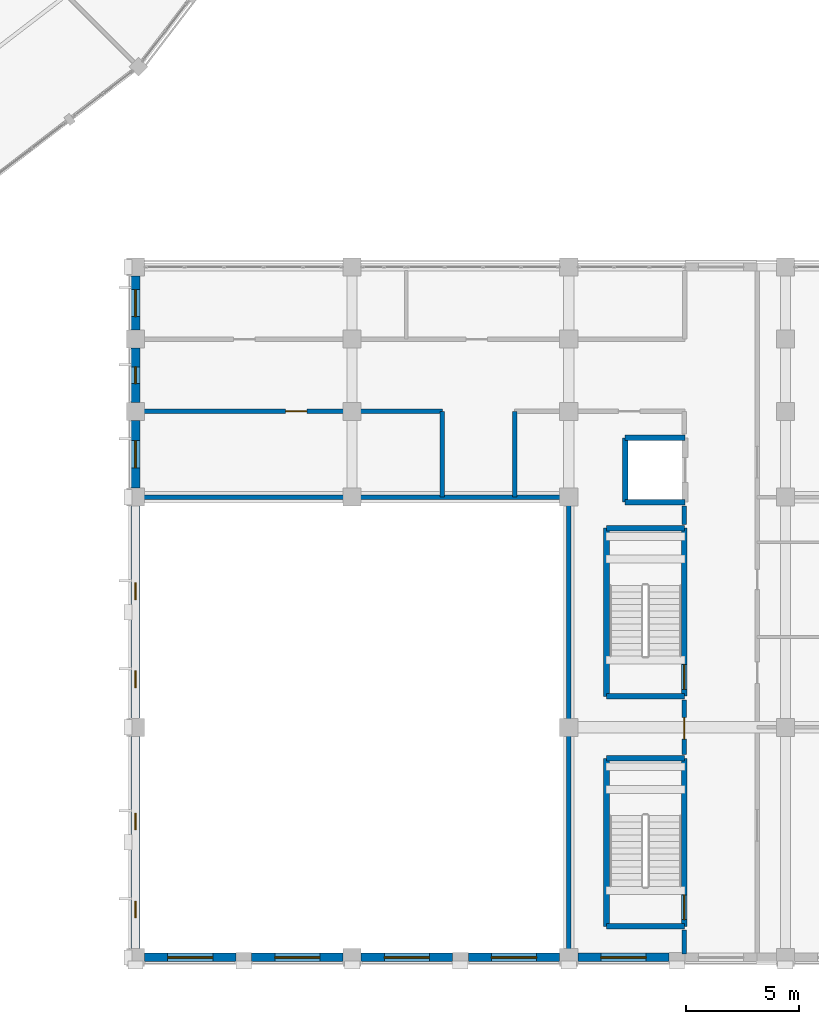
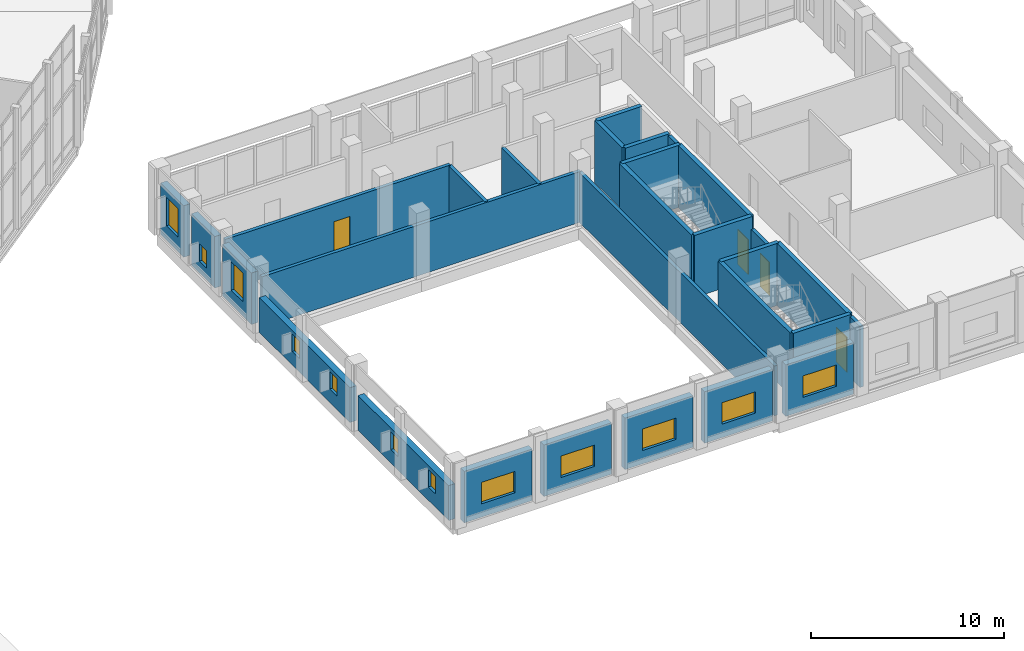
# One storey, part 146 of 170: 29 walls, 12 windows, 4 doors, 16 openings.
"""IFC4 building model written with IfcOpenShell, lengths in metres."""

from ifc_helpers import new_model, si_unit, direction, frame, frame_2d, origin, place, context, subcontext, project, spatial, rectangle, extrude, material, layer, layer_set, type_object, element, fill, save


model = new_model("IFC4")

# Units and contexts
model_context = context("Model", 3, precision=1e-05, world=origin(), true_north=direction((0.0, 1.0)))
body_context = subcontext(model_context, "Body", "Model", "MODEL_VIEW")
ifc_project = project(units=[si_unit("LENGTHUNIT", "METRE"), si_unit("AREAUNIT", "SQUARE_METRE"), si_unit("VOLUMEUNIT", "CUBIC_METRE"), si_unit("PLANEANGLEUNIT", "RADIAN"), si_unit("MASSUNIT", "GRAM", prefix="KILO")], contexts=[model_context])

# Site, building, storey
site_placement = place(None, origin())
site = spatial("IfcSite", under=ifc_project, at=site_placement, CompositionType="ELEMENT")
building_placement = place(site_placement, origin())
building = spatial("IfcBuilding", under=site, at=building_placement, Name="Vondelvale Polytechnic", CompositionType="ELEMENT")
storey_placement = place(building_placement, frame((0.0, 0.0, 5.39990234375)))
storey = spatial("IfcBuildingStorey", under=building, at=storey_placement, Name="L01", CompositionType="ELEMENT", Elevation=5.39990234375)

# Wall, opening, window
ifc_material_1 = material(Name="Amsterdam School iron-spot clinker clay brickwork", Category="masonry")
ifc_layer_1 = layer(ifc_material_1, 0.3798828125)
ifc_layer_set_1 = layer_set([ifc_layer_1], Name="WL-BRICK-380")
wall_type_1 = type_object("IfcWallType", Name="WL-BRICK-380", PredefinedType="SOLIDWALL", material=ifc_layer_set_1)
wall_1_placement = place(storey_placement, frame((138.84912109375, 0.0, 0.0), z_axis=(0.0, 0.0, 1.0), x_axis=(-1.0, 0.0, 0.0)))
wall_1 = element("IfcWall", 1, at=wall_1_placement, inside=storey, type_object=wall_type_1, Name="L01 exterior masonry facade wall", PredefinedType="SOLIDWALL", context=body_context, shape_type="SweptSolid", body=[
    extrude(rectangle(XDim=4.048095703125, YDim=0.3798828125, at=frame_2d((2.02392578125, 0.0))), origin(), (0.0, 0.0, 1.0), 3.25),
])
opening_1_placement = place(wall_1_placement, frame((1.02392578125, 0.0, 0.85009765625)))
opening_1 = element("IfcOpeningElement", 2, at=opening_1_placement, cuts=wall_1, Name="Opening WN-0347", PredefinedType="OPENING", context=body_context, shape_type="SweptSolid", body=[
    extrude(rectangle(XDim=2.0, YDim=1.35009765625, at=frame_2d((1.0, 0.675048828125))), frame((0.0, 0.199951171875, 0.0), z_axis=(0.0, -1.0, 0.0), x_axis=(1.0, 0.0, 0.0)), (0.0, 0.0, 1.0), 0.39990234375),
])
ifc_material_2 = material(Name="Double-glazed low-E insulated architectural glass", Category="glass")
window_type_1 = type_object("IfcWindowType", Name="WN-RIB-2000x1350", PartitioningType="SINGLE_PANEL", PredefinedType="WINDOW", material=ifc_material_2)
window_1_placement = place(opening_1_placement, origin())
window_1 = element("IfcWindow", 3, at=window_1_placement, inside=storey, type_object=window_type_1, Name="L01 double-glazed architectural window WN-0347", OverallHeight=1.35009765625, OverallWidth=2.0, PartitioningType="SINGLE_PANEL", PredefinedType="WINDOW", context=body_context, shape_type="SweptSolid", body=[
    extrude(rectangle(XDim=2.0, YDim=1.35009765625, at=frame_2d((1.0, 0.675048828125))), frame((0.0, 0.030029296875, 0.0), z_axis=(0.0, -1.0, 0.0), x_axis=(1.0, 0.0, 0.0)), (0.0, 0.0, 1.0), 0.06005859375),
])
fill(opening_1, window_1)

wall_2_placement = place(storey_placement, frame((143.59912109375, 0.0, 0.0), z_axis=(0.0, 0.0, 1.0), x_axis=(-1.0, 0.0, 0.0)))
wall_2 = element("IfcWall", 4, at=wall_2_placement, inside=storey, type_object=wall_type_1, Name="L01 exterior masonry facade wall", PredefinedType="SOLIDWALL", context=body_context, shape_type="SweptSolid", body=[
    extrude(rectangle(XDim=4.048095703125, YDim=0.3798828125, at=frame_2d((2.02392578125, 0.0))), origin(), (0.0, 0.0, 1.0), 3.25),
])
opening_2_placement = place(wall_2_placement, frame((1.02392578125, 0.0, 0.85009765625)))
opening_2 = element("IfcOpeningElement", 5, at=opening_2_placement, cuts=wall_2, Name="Opening WN-0348", PredefinedType="OPENING", context=body_context, shape_type="SweptSolid", body=[
    extrude(rectangle(XDim=2.0, YDim=1.35009765625, at=frame_2d((1.0, 0.675048828125))), frame((0.0, 0.199951171875, 0.0), z_axis=(0.0, -1.0, 0.0), x_axis=(1.0, 0.0, 0.0)), (0.0, 0.0, 1.0), 0.39990234375),
])
window_2_placement = place(opening_2_placement, origin())
window_2 = element("IfcWindow", 6, at=window_2_placement, inside=storey, type_object=window_type_1, Name="L01 double-glazed architectural window WN-0348", OverallHeight=1.35009765625, OverallWidth=2.0, PartitioningType="SINGLE_PANEL", PredefinedType="WINDOW", context=body_context, shape_type="SweptSolid", body=[
    extrude(rectangle(XDim=2.0, YDim=1.35009765625, at=frame_2d((1.0, 0.675048828125))), frame((0.0, 0.030029296875, 0.0), z_axis=(0.0, -1.0, 0.0), x_axis=(1.0, 0.0, 0.0)), (0.0, 0.0, 1.0), 0.06005859375),
])
fill(opening_2, window_2)

wall_3_placement = place(storey_placement, frame((148.448974609375, 0.0, 0.0), z_axis=(0.0, 0.0, 1.0), x_axis=(-1.0, 0.0, 0.0)))
wall_3 = element("IfcWall", 7, at=wall_3_placement, inside=storey, type_object=wall_type_1, Name="L01 exterior masonry facade wall", PredefinedType="SOLIDWALL", context=body_context, shape_type="SweptSolid", body=[
    extrude(rectangle(XDim=4.048095703125, YDim=0.3798828125, at=frame_2d((2.02392578125, 0.0))), origin(), (0.0, 0.0, 1.0), 3.25),
])
opening_3_placement = place(wall_3_placement, frame((1.02392578125, 0.0, 0.85009765625)))
opening_3 = element("IfcOpeningElement", 8, at=opening_3_placement, cuts=wall_3, Name="Opening WN-0349", PredefinedType="OPENING", context=body_context, shape_type="SweptSolid", body=[
    extrude(rectangle(XDim=2.0, YDim=1.35009765625, at=frame_2d((1.0, 0.675048828125))), frame((0.0, 0.199951171875, 0.0), z_axis=(0.0, -1.0, 0.0), x_axis=(1.0, 0.0, 0.0)), (0.0, 0.0, 1.0), 0.39990234375),
])
window_3_placement = place(opening_3_placement, origin())
window_3 = element("IfcWindow", 9, at=window_3_placement, inside=storey, type_object=window_type_1, Name="L01 double-glazed architectural window WN-0349", OverallHeight=1.35009765625, OverallWidth=2.0, PartitioningType="SINGLE_PANEL", PredefinedType="WINDOW", context=body_context, shape_type="SweptSolid", body=[
    extrude(rectangle(XDim=2.0, YDim=1.35009765625, at=frame_2d((1.0, 0.675048828125))), frame((0.0, 0.030029296875, 0.0), z_axis=(0.0, -1.0, 0.0), x_axis=(1.0, 0.0, 0.0)), (0.0, 0.0, 1.0), 0.06005859375),
])
fill(opening_3, window_3)

wall_4_placement = place(storey_placement, frame((153.198974609375, 0.0, 0.0), z_axis=(0.0, 0.0, 1.0), x_axis=(-1.0, 0.0, 0.0)))
wall_4 = element("IfcWall", 10, at=wall_4_placement, inside=storey, type_object=wall_type_1, Name="L01 exterior masonry facade wall", PredefinedType="SOLIDWALL", context=body_context, shape_type="SweptSolid", body=[
    extrude(rectangle(XDim=4.048095703125, YDim=0.3798828125, at=frame_2d((2.02392578125, 0.0))), origin(), (0.0, 0.0, 1.0), 3.25),
])
opening_4_placement = place(wall_4_placement, frame((1.02392578125, 0.0, 0.85009765625)))
opening_4 = element("IfcOpeningElement", 11, at=opening_4_placement, cuts=wall_4, Name="Opening WN-0350", PredefinedType="OPENING", context=body_context, shape_type="SweptSolid", body=[
    extrude(rectangle(XDim=2.0, YDim=1.35009765625, at=frame_2d((1.0, 0.675048828125))), frame((0.0, 0.199951171875, 0.0), z_axis=(0.0, -1.0, 0.0), x_axis=(1.0, 0.0, 0.0)), (0.0, 0.0, 1.0), 0.39990234375),
])
window_4_placement = place(opening_4_placement, origin())
window_4 = element("IfcWindow", 12, at=window_4_placement, inside=storey, type_object=window_type_1, Name="L01 double-glazed architectural window WN-0350", OverallHeight=1.35009765625, OverallWidth=2.0, PartitioningType="SINGLE_PANEL", PredefinedType="WINDOW", context=body_context, shape_type="SweptSolid", body=[
    extrude(rectangle(XDim=2.0, YDim=1.35009765625, at=frame_2d((1.0, 0.675048828125))), frame((0.0, 0.030029296875, 0.0), z_axis=(0.0, -1.0, 0.0), x_axis=(1.0, 0.0, 0.0)), (0.0, 0.0, 1.0), 0.06005859375),
])
fill(opening_4, window_4)

wall_5_placement = place(storey_placement, frame((158.049072265625, 0.0, 0.0), z_axis=(0.0, 0.0, 1.0), x_axis=(-1.0, 0.0, 0.0)))
wall_5 = element("IfcWall", 13, at=wall_5_placement, inside=storey, type_object=wall_type_1, Name="L01 exterior masonry facade wall", PredefinedType="SOLIDWALL", context=body_context, shape_type="SweptSolid", body=[
    extrude(rectangle(XDim=4.048095703125, YDim=0.3798828125, at=frame_2d((2.02392578125, 0.0))), origin(), (0.0, 0.0, 1.0), 3.25),
])
opening_5_placement = place(wall_5_placement, frame((1.02392578125, 0.0, 0.85009765625)))
opening_5 = element("IfcOpeningElement", 14, at=opening_5_placement, cuts=wall_5, Name="Opening WN-0351", PredefinedType="OPENING", context=body_context, shape_type="SweptSolid", body=[
    extrude(rectangle(XDim=2.0, YDim=1.35009765625, at=frame_2d((1.0, 0.675048828125))), frame((0.0, 0.199951171875, 0.0), z_axis=(0.0, -1.0, 0.0), x_axis=(1.0, 0.0, 0.0)), (0.0, 0.0, 1.0), 0.39990234375),
])
window_5_placement = place(opening_5_placement, origin())
window_5 = element("IfcWindow", 15, at=window_5_placement, inside=storey, type_object=window_type_1, Name="L01 double-glazed architectural window WN-0351", OverallHeight=1.35009765625, OverallWidth=2.0, PartitioningType="SINGLE_PANEL", PredefinedType="WINDOW", context=body_context, shape_type="SweptSolid", body=[
    extrude(rectangle(XDim=2.0, YDim=1.35009765625, at=frame_2d((1.0, 0.675048828125))), frame((0.0, 0.030029296875, 0.0), z_axis=(0.0, -1.0, 0.0), x_axis=(1.0, 0.0, 0.0)), (0.0, 0.0, 1.0), 0.06005859375),
])
fill(opening_5, window_5)

# Wall, openings, windows
wall_6_placement = place(storey_placement, frame((134.39990234375, 0.40087890625, 0.0), z_axis=(0.0, 0.0, 1.0), x_axis=(0.0, 1.0, 0.0)))
wall_6 = element("IfcWall", 16, at=wall_6_placement, inside=storey, type_object=wall_type_1, Name="L01 exterior masonry facade wall", PredefinedType="SOLIDWALL", context=body_context, shape_type="SweptSolid", body=[
    extrude(rectangle(XDim=9.398193359375, YDim=0.3798828125, at=frame_2d((4.69921875, 0.0))), origin(), (0.0, 0.0, 1.0), 2.2001953125),
])
opening_6_placement = place(wall_6_placement, frame((1.35009765625, 0.0, 0.85009765625)))
opening_6 = element("IfcOpeningElement", 17, at=opening_6_placement, cuts=wall_6, Name="Opening WN-0355", PredefinedType="OPENING", context=body_context, shape_type="SweptSolid", body=[
    extrude(rectangle(XDim=0.75, YDim=1.10009765625, at=frame_2d((0.375, 0.550048828125))), frame((0.0, 0.199951171875, 0.0), z_axis=(0.0, -1.0, 0.0), x_axis=(1.0, 0.0, 0.0)), (0.0, 0.0, 1.0), 0.39990234375),
])
opening_7_placement = place(wall_6_placement, frame((5.25, 0.0, 0.85009765625)))
opening_7 = element("IfcOpeningElement", 18, at=opening_7_placement, cuts=wall_6, Name="Opening WN-0356", PredefinedType="OPENING", context=body_context, shape_type="SweptSolid", body=[
    extrude(rectangle(XDim=0.75, YDim=1.10009765625, at=frame_2d((0.375, 0.550048828125))), frame((0.0, 0.199951171875, 0.0), z_axis=(0.0, -1.0, 0.0), x_axis=(1.0, 0.0, 0.0)), (0.0, 0.0, 1.0), 0.39990234375),
])
window_type_2 = type_object("IfcWindowType", Name="WN-WC-0750x1100", PartitioningType="SINGLE_PANEL", PredefinedType="WINDOW", material=ifc_material_2)
window_6_placement = place(opening_6_placement, origin())
window_6 = element("IfcWindow", 19, at=window_6_placement, inside=storey, type_object=window_type_2, Name="L01 double-glazed architectural window WN-0355", OverallHeight=1.10009765625, OverallWidth=0.75, PartitioningType="SINGLE_PANEL", PredefinedType="WINDOW", context=body_context, shape_type="SweptSolid", body=[
    extrude(rectangle(XDim=0.75, YDim=1.10009765625, at=frame_2d((0.375, 0.550048828125))), frame((0.0, 0.030029296875, 0.0), z_axis=(0.0, -1.0, 0.0), x_axis=(1.0, 0.0, 0.0)), (0.0, 0.0, 1.0), 0.06005859375),
])
fill(opening_6, window_6)
window_7_placement = place(opening_7_placement, origin())
window_7 = element("IfcWindow", 20, at=window_7_placement, inside=storey, type_object=window_type_2, Name="L01 double-glazed architectural window WN-0356", OverallHeight=1.10009765625, OverallWidth=0.75, PartitioningType="SINGLE_PANEL", PredefinedType="WINDOW", context=body_context, shape_type="SweptSolid", body=[
    extrude(rectangle(XDim=0.75, YDim=1.10009765625, at=frame_2d((0.375, 0.550048828125))), frame((0.0, 0.030029296875, 0.0), z_axis=(0.0, -1.0, 0.0), x_axis=(1.0, 0.0, 0.0)), (0.0, 0.0, 1.0), 0.06005859375),
])
fill(opening_7, window_7)

wall_7_placement = place(storey_placement, frame((134.39990234375, 10.60107421875, 0.0), z_axis=(0.0, 0.0, 1.0), x_axis=(0.0, 1.0, 0.0)))
wall_7 = element("IfcWall", 21, at=wall_7_placement, inside=storey, type_object=wall_type_1, Name="L01 exterior masonry facade wall", PredefinedType="SOLIDWALL", context=body_context, shape_type="SweptSolid", body=[
    extrude(rectangle(XDim=9.39794921875, YDim=0.3798828125, at=frame_2d((4.698974609375, 0.0))), origin(), (0.0, 0.0, 1.0), 2.2001953125),
])
opening_8_placement = place(wall_7_placement, frame((1.35009765625, 0.0, 0.85009765625)))
opening_8 = element("IfcOpeningElement", 22, at=opening_8_placement, cuts=wall_7, Name="Opening WN-0357", PredefinedType="OPENING", context=body_context, shape_type="SweptSolid", body=[
    extrude(rectangle(XDim=0.75, YDim=1.10009765625, at=frame_2d((0.375, 0.550048828125))), frame((0.0, 0.199951171875, 0.0), z_axis=(0.0, -1.0, 0.0), x_axis=(1.0, 0.0, 0.0)), (0.0, 0.0, 1.0), 0.39990234375),
])
opening_9_placement = place(wall_7_placement, frame((5.25, 0.0, 0.85009765625)))
opening_9 = element("IfcOpeningElement", 23, at=opening_9_placement, cuts=wall_7, Name="Opening WN-0358", PredefinedType="OPENING", context=body_context, shape_type="SweptSolid", body=[
    extrude(rectangle(XDim=0.75, YDim=1.10009765625, at=frame_2d((0.375, 0.550048828125))), frame((0.0, 0.199951171875, 0.0), z_axis=(0.0, -1.0, 0.0), x_axis=(1.0, 0.0, 0.0)), (0.0, 0.0, 1.0), 0.39990234375),
])
window_8_placement = place(opening_8_placement, origin())
window_8 = element("IfcWindow", 24, at=window_8_placement, inside=storey, type_object=window_type_2, Name="L01 double-glazed architectural window WN-0357", OverallHeight=1.10009765625, OverallWidth=0.75, PartitioningType="SINGLE_PANEL", PredefinedType="WINDOW", context=body_context, shape_type="SweptSolid", body=[
    extrude(rectangle(XDim=0.75, YDim=1.10009765625, at=frame_2d((0.375, 0.550048828125))), frame((0.0, 0.030029296875, 0.0), z_axis=(0.0, -1.0, 0.0), x_axis=(1.0, 0.0, 0.0)), (0.0, 0.0, 1.0), 0.06005859375),
])
fill(opening_8, window_8)
window_9_placement = place(opening_9_placement, origin())
window_9 = element("IfcWindow", 25, at=window_9_placement, inside=storey, type_object=window_type_2, Name="L01 double-glazed architectural window WN-0358", OverallHeight=1.10009765625, OverallWidth=0.75, PartitioningType="SINGLE_PANEL", PredefinedType="WINDOW", context=body_context, shape_type="SweptSolid", body=[
    extrude(rectangle(XDim=0.75, YDim=1.10009765625, at=frame_2d((0.375, 0.550048828125))), frame((0.0, 0.030029296875, 0.0), z_axis=(0.0, -1.0, 0.0), x_axis=(1.0, 0.0, 0.0)), (0.0, 0.0, 1.0), 0.06005859375),
])
fill(opening_9, window_9)

# Wall, opening, window
wall_8_placement = place(storey_placement, frame((134.39990234375, 20.801025390625, 0.0), z_axis=(0.0, 0.0, 1.0), x_axis=(0.0, 1.0, 0.0)))
wall_8 = element("IfcWall", 26, at=wall_8_placement, inside=storey, type_object=wall_type_1, Name="L01 exterior masonry facade wall", PredefinedType="SOLIDWALL", context=body_context, shape_type="SweptSolid", body=[
    extrude(rectangle(XDim=2.998046875, YDim=0.3798828125, at=frame_2d((1.4990234375, 0.0))), origin(), (0.0, 0.0, 1.0), 3.25),
])
opening_10_placement = place(wall_8_placement, frame((0.89892578125, 0.0, 0.89990234375)))
opening_10 = element("IfcOpeningElement", 27, at=opening_10_placement, cuts=wall_8, Name="Opening WN-0359", PredefinedType="OPENING", context=body_context, shape_type="SweptSolid", body=[
    extrude(rectangle(XDim=1.199951171875, YDim=1.800048828125, at=frame_2d((0.60009765625, 0.89990234375))), frame((0.0, 0.199951171875, 0.0), z_axis=(0.0, -1.0, 0.0), x_axis=(1.0, 0.0, 0.0)), (0.0, 0.0, 1.0), 0.39990234375),
])
window_type_3 = type_object("IfcWindowType", Name="WN-OFF-1200x1800", PartitioningType="SINGLE_PANEL", PredefinedType="WINDOW", material=ifc_material_2)
window_10_placement = place(opening_10_placement, origin())
window_10 = element("IfcWindow", 28, at=window_10_placement, inside=storey, type_object=window_type_3, Name="L01 double-glazed architectural window WN-0359", OverallHeight=1.800048828125, OverallWidth=1.199951171875, PartitioningType="SINGLE_PANEL", PredefinedType="WINDOW", context=body_context, shape_type="SweptSolid", body=[
    extrude(rectangle(XDim=1.199951171875, YDim=1.800048828125, at=frame_2d((0.60009765625, 0.89990234375))), frame((0.0, 0.030029296875, 0.0), z_axis=(0.0, -1.0, 0.0), x_axis=(1.0, 0.0, 0.0)), (0.0, 0.0, 1.0), 0.06005859375),
])
fill(opening_10, window_10)

wall_9_placement = place(storey_placement, frame((134.39990234375, 24.60107421875, 0.0), z_axis=(0.0, 0.0, 1.0), x_axis=(0.0, 1.0, 0.0)))
wall_9 = element("IfcWall", 29, at=wall_9_placement, inside=storey, type_object=wall_type_1, Name="L01 exterior masonry facade wall", PredefinedType="SOLIDWALL", context=body_context, shape_type="SweptSolid", body=[
    extrude(rectangle(XDim=2.39794921875, YDim=0.3798828125, at=frame_2d((1.198974609375, 0.0))), origin(), (0.0, 0.0, 1.0), 3.25),
])
opening_11_placement = place(wall_9_placement, frame((0.823974609375, 0.0, 0.75)))
opening_11 = element("IfcOpeningElement", 30, at=opening_11_placement, cuts=wall_9, Name="Opening WN-0360", PredefinedType="OPENING", context=body_context, shape_type="SweptSolid", body=[
    extrude(rectangle(XDim=0.75, YDim=1.10009765625, at=frame_2d((0.375, 0.550048828125))), frame((0.0, 0.199951171875, 0.0), z_axis=(0.0, -1.0, 0.0), x_axis=(1.0, 0.0, 0.0)), (0.0, 0.0, 1.0), 0.39990234375),
])
window_11_placement = place(opening_11_placement, origin())
window_11 = element("IfcWindow", 31, at=window_11_placement, inside=storey, type_object=window_type_2, Name="L01 double-glazed architectural window WN-0360", OverallHeight=1.10009765625, OverallWidth=0.75, PartitioningType="SINGLE_PANEL", PredefinedType="WINDOW", context=body_context, shape_type="SweptSolid", body=[
    extrude(rectangle(XDim=0.75, YDim=1.10009765625, at=frame_2d((0.375, 0.550048828125))), frame((0.0, 0.030029296875, 0.0), z_axis=(0.0, -1.0, 0.0), x_axis=(1.0, 0.0, 0.0)), (0.0, 0.0, 1.0), 0.06005859375),
])
fill(opening_11, window_11)

wall_10_placement = place(storey_placement, frame((134.39990234375, 27.801025390625, 0.0), z_axis=(0.0, 0.0, 1.0), x_axis=(0.0, 1.0, 0.0)))
wall_10 = element("IfcWall", 32, at=wall_10_placement, inside=storey, type_object=wall_type_1, Name="L01 exterior masonry facade wall", PredefinedType="SOLIDWALL", context=body_context, shape_type="SweptSolid", body=[
    extrude(rectangle(XDim=2.39794921875, YDim=0.3798828125, at=frame_2d((1.198974609375, 0.0))), origin(), (0.0, 0.0, 1.0), 3.25),
])
opening_12_placement = place(wall_10_placement, frame((0.59912109375, 0.0, 0.89990234375)))
opening_12 = element("IfcOpeningElement", 33, at=opening_12_placement, cuts=wall_10, Name="Opening WN-0361", PredefinedType="OPENING", context=body_context, shape_type="SweptSolid", body=[
    extrude(rectangle(XDim=1.199951171875, YDim=1.800048828125, at=frame_2d((0.60009765625, 0.89990234375))), frame((0.0, 0.199951171875, 0.0), z_axis=(0.0, -1.0, 0.0), x_axis=(1.0, 0.0, 0.0)), (0.0, 0.0, 1.0), 0.39990234375),
])
window_12_placement = place(opening_12_placement, origin())
window_12 = element("IfcWindow", 34, at=window_12_placement, inside=storey, type_object=window_type_3, Name="L01 double-glazed architectural window WN-0361", OverallHeight=1.800048828125, OverallWidth=1.199951171875, PartitioningType="SINGLE_PANEL", PredefinedType="WINDOW", context=body_context, shape_type="SweptSolid", body=[
    extrude(rectangle(XDim=1.199951171875, YDim=1.800048828125, at=frame_2d((0.60009765625, 0.89990234375))), frame((0.0, 0.030029296875, 0.0), z_axis=(0.0, -1.0, 0.0), x_axis=(1.0, 0.0, 0.0)), (0.0, 0.0, 1.0), 0.06005859375),
])
fill(opening_12, window_12)

# Wall, opening, door
ifc_material_3 = material(Name="Concrete N40 (f'c = 40 MPa)", Category="concrete")
ifc_layer_2 = layer(ifc_material_3, 0.25)
ifc_layer_set_2 = layer_set([ifc_layer_2], Name="WL-CORE-250")
wall_type_2 = type_object("IfcWallType", Name="WL-CORE-250", PredefinedType="SOLIDWALL", material=ifc_layer_set_2)
wall_11_placement = place(storey_placement, frame((158.72509765625, 1.375, 0.0), z_axis=(0.0, 0.0, 1.0), x_axis=(0.0, 1.0, 0.0)))
wall_11 = element("IfcWall", 35, at=wall_11_placement, inside=storey, type_object=wall_type_2, Name="L01 ST-06 reinforced concrete stair core wall", PredefinedType="SOLIDWALL", context=body_context, shape_type="SweptSolid", body=[
    extrude(rectangle(XDim=7.449951171875, YDim=0.25, at=frame_2d((3.72509765625, 0.0))), origin(), (0.0, 0.0, 1.0), 3.920166015625),
])
opening_13_placement = place(wall_11_placement, frame((0.300048828125, 0.0, 0.0)))
opening_13 = element("IfcOpeningElement", 36, at=opening_13_placement, cuts=wall_11, Name="Opening SD-035", PredefinedType="OPENING", context=body_context, shape_type="SweptSolid", body=[
    extrude(rectangle(XDim=1.10009765625, YDim=2.199951171875, at=frame_2d((0.550048828125, 1.10009765625))), frame((0.0, 0.135009765625, 0.0), z_axis=(0.0, -1.0, 0.0), x_axis=(1.0, 0.0, 0.0)), (0.0, 0.0, 1.0), 0.27001953125),
])
ifc_material_4 = material(Name="Brushed architectural stainless and zinc-coated metal")
door_type_1 = type_object("IfcDoorType", Name="DR-STAIR-1100x2200", OperationType="SINGLE_SWING_LEFT", PredefinedType="DOOR", material=ifc_material_4)
door_1_placement = place(opening_13_placement, origin())
door_1 = element("IfcDoor", 37, at=door_1_placement, inside=storey, type_object=door_type_1, Name="L01 ST-06 fire-isolated stair door", OperationType="SINGLE_SWING_LEFT", OverallHeight=2.199951171875, OverallWidth=1.10009765625, PredefinedType="DOOR", context=body_context, shape_type="SweptSolid", body=[
    extrude(rectangle(XDim=1.10009765625, YDim=2.199951171875, at=frame_2d((0.550048828125, 1.10009765625))), frame((0.0, 0.02490234375, 0.0), z_axis=(0.0, -1.0, 0.0), x_axis=(1.0, 0.0, 0.0)), (0.0, 0.0, 1.0), 0.050048828125),
])
fill(opening_13, door_1)

# Walls
wall_12_placement = place(storey_placement, frame((158.72509765625, 8.824951171875, 0.0), z_axis=(0.0, 0.0, 1.0), x_axis=(-1.0, 0.0, 0.0)))
element("IfcWall", 38, at=wall_12_placement, inside=storey, type_object=wall_type_2, Name="L01 ST-06 reinforced concrete stair core wall", PredefinedType="SOLIDWALL", context=body_context, shape_type="SweptSolid", body=[
    extrude(rectangle(XDim=3.4501953125, YDim=0.25, at=frame_2d((1.72509765625, 0.0))), origin(), (0.0, 0.0, 1.0), 3.920166015625),
])
wall_13_placement = place(storey_placement, frame((155.27490234375, 8.824951171875, 0.0), z_axis=(0.0, 0.0, 1.0), x_axis=(0.0, -1.0, 0.0)))
element("IfcWall", 39, at=wall_13_placement, inside=storey, type_object=wall_type_2, Name="L01 ST-06 reinforced concrete stair core wall", PredefinedType="SOLIDWALL", context=body_context, shape_type="SweptSolid", body=[
    extrude(rectangle(XDim=7.449951171875, YDim=0.25, at=frame_2d((3.72509765625, 0.0))), origin(), (0.0, 0.0, 1.0), 3.920166015625),
])
wall_14_placement = place(storey_placement, frame((155.27490234375, 1.375, 0.0), z_axis=(0.0, 0.0, 1.0), x_axis=(1.0, 0.0, 0.0)))
element("IfcWall", 40, at=wall_14_placement, inside=storey, type_object=wall_type_2, Name="L01 ST-06 reinforced concrete stair core wall", PredefinedType="SOLIDWALL", context=body_context, shape_type="SweptSolid", body=[
    extrude(rectangle(XDim=3.4501953125, YDim=0.25, at=frame_2d((1.72509765625, 0.0))), origin(), (0.0, 0.0, 1.0), 3.920166015625),
])

# Wall, opening, door
wall_15_placement = place(storey_placement, frame((158.72509765625, 11.574951171875, 0.0), z_axis=(0.0, 0.0, 1.0), x_axis=(0.0, 1.0, 0.0)))
wall_15 = element("IfcWall", 41, at=wall_15_placement, inside=storey, type_object=wall_type_2, Name="L01 ST-07 reinforced concrete stair core wall", PredefinedType="SOLIDWALL", context=body_context, shape_type="SweptSolid", body=[
    extrude(rectangle(XDim=7.449951171875, YDim=0.25, at=frame_2d((3.72509765625, 0.0))), origin(), (0.0, 0.0, 1.0), 3.920166015625),
])
opening_14_placement = place(wall_15_placement, frame((0.300048828125, 0.0, 0.0)))
opening_14 = element("IfcOpeningElement", 42, at=opening_14_placement, cuts=wall_15, Name="Opening SD-041", PredefinedType="OPENING", context=body_context, shape_type="SweptSolid", body=[
    extrude(rectangle(XDim=1.10009765625, YDim=2.199951171875, at=frame_2d((0.550048828125, 1.10009765625))), frame((0.0, 0.135009765625, 0.0), z_axis=(0.0, -1.0, 0.0), x_axis=(1.0, 0.0, 0.0)), (0.0, 0.0, 1.0), 0.27001953125),
])
door_2_placement = place(opening_14_placement, origin())
door_2 = element("IfcDoor", 43, at=door_2_placement, inside=storey, type_object=door_type_1, Name="L01 ST-07 fire-isolated stair door", OperationType="SINGLE_SWING_LEFT", OverallHeight=2.199951171875, OverallWidth=1.10009765625, PredefinedType="DOOR", context=body_context, shape_type="SweptSolid", body=[
    extrude(rectangle(XDim=1.10009765625, YDim=2.199951171875, at=frame_2d((0.550048828125, 1.10009765625))), frame((0.0, 0.02490234375, 0.0), z_axis=(0.0, -1.0, 0.0), x_axis=(1.0, 0.0, 0.0)), (0.0, 0.0, 1.0), 0.050048828125),
])
fill(opening_14, door_2)

# Walls
wall_16_placement = place(storey_placement, frame((158.72509765625, 19.02490234375, 0.0), z_axis=(0.0, 0.0, 1.0), x_axis=(-1.0, 0.0, 0.0)))
element("IfcWall", 44, at=wall_16_placement, inside=storey, type_object=wall_type_2, Name="L01 ST-07 reinforced concrete stair core wall", PredefinedType="SOLIDWALL", context=body_context, shape_type="SweptSolid", body=[
    extrude(rectangle(XDim=3.4501953125, YDim=0.25, at=frame_2d((1.72509765625, 0.0))), origin(), (0.0, 0.0, 1.0), 3.920166015625),
])
wall_17_placement = place(storey_placement, frame((155.27490234375, 19.02490234375, 0.0), z_axis=(0.0, 0.0, 1.0), x_axis=(0.0, -1.0, 0.0)))
element("IfcWall", 45, at=wall_17_placement, inside=storey, type_object=wall_type_2, Name="L01 ST-07 reinforced concrete stair core wall", PredefinedType="SOLIDWALL", context=body_context, shape_type="SweptSolid", body=[
    extrude(rectangle(XDim=7.449951171875, YDim=0.25, at=frame_2d((3.72509765625, 0.0))), origin(), (0.0, 0.0, 1.0), 3.920166015625),
])
wall_18_placement = place(storey_placement, frame((155.27490234375, 11.574951171875, 0.0), z_axis=(0.0, 0.0, 1.0), x_axis=(1.0, 0.0, 0.0)))
element("IfcWall", 46, at=wall_18_placement, inside=storey, type_object=wall_type_2, Name="L01 ST-07 reinforced concrete stair core wall", PredefinedType="SOLIDWALL", context=body_context, shape_type="SweptSolid", body=[
    extrude(rectangle(XDim=3.4501953125, YDim=0.25, at=frame_2d((1.72509765625, 0.0))), origin(), (0.0, 0.0, 1.0), 3.920166015625),
])
ifc_material_5 = material(Name="Fire-rated double-layer plasterboard stud partition")
ifc_layer_3 = layer(ifc_material_5, 0.199951171875)
ifc_layer_set_3 = layer_set([ifc_layer_3], Name="WL-CORR-200")
wall_type_3 = type_object("IfcWallType", Name="WL-CORR-200", PredefinedType="PARTITIONING", material=ifc_layer_set_3)
wall_19_placement = place(storey_placement, frame((134.550048828125, 20.39990234375, 0.0), z_axis=(0.0, 0.0, 1.0), x_axis=(1.0, 0.0, 0.0)))
element("IfcWall", 47, at=wall_19_placement, inside=storey, type_object=wall_type_3, Name="L01 interior acoustic partition", PredefinedType="PARTITIONING", context=body_context, shape_type="SweptSolid", body=[
    extrude(rectangle(XDim=19.050048828125, YDim=0.199951171875, at=frame_2d((9.52490234375, 0.0))), origin(), (0.0, 0.0, 1.0), 3.2001953125),
])
wall_20_placement = place(storey_placement, frame((153.60009765625, 0.14990234375, 0.0), z_axis=(0.0, 0.0, 1.0), x_axis=(0.0, 1.0, 0.0)))
element("IfcWall", 48, at=wall_20_placement, inside=storey, type_object=wall_type_3, Name="L01 interior acoustic partition", PredefinedType="PARTITIONING", context=body_context, shape_type="SweptSolid", body=[
    extrude(rectangle(XDim=20.25, YDim=0.199951171875, at=frame_2d((10.125, 0.0))), origin(), (0.0, 0.0, 1.0), 3.150146484375),
])
for number, where, z_axis, x_axis, name in (
    (49, (148.0, 20.39990234375, 0.0), (0.0, 0.0, 1.0), (0.0, 1.0, 0.0), "L01 interior acoustic partition"),
    (50, (151.199951171875, 20.39990234375, 0.0), (0.0, 0.0, 1.0), (0.0, 1.0, 0.0), "L01 interior acoustic partition"),
):
    element("IfcWall", number, at=place(storey_placement, frame(where, z_axis=z_axis, x_axis=x_axis)), inside=storey, type_object=wall_type_3, Name=name, PredefinedType="PARTITIONING", context=body_context, shape_type="SweptSolid", body=[
        extrude(rectangle(XDim=3.800048828125, YDim=0.199951171875, at=frame_2d((1.89990234375, 0.0))), origin(), (0.0, 0.0, 1.0), 3.2001953125),
    ])

# Wall, opening, door
wall_21_placement = place(storey_placement, frame((134.550048828125, 24.199951171875, 0.0), z_axis=(0.0, 0.0, 1.0), x_axis=(1.0, 0.0, 0.0)))
wall_21 = element("IfcWall", 51, at=wall_21_placement, inside=storey, type_object=wall_type_3, Name="L01 interior acoustic partition", PredefinedType="PARTITIONING", context=body_context, shape_type="SweptSolid", body=[
    extrude(rectangle(XDim=13.449951171875, YDim=0.199951171875, at=frame_2d((6.72509765625, 0.0))), origin(), (0.0, 0.0, 1.0), 3.25),
])
opening_15_placement = place(wall_21_placement, frame((6.5, 0.0, 0.0)))
opening_15 = element("IfcOpeningElement", 52, at=opening_15_placement, cuts=wall_21, Name="Opening ID-0234", PredefinedType="OPENING", context=body_context, shape_type="SweptSolid", body=[
    extrude(rectangle(XDim=0.949951171875, YDim=2.10009765625, at=frame_2d((0.47509765625, 1.050048828125))), frame((0.0, 0.10986328125, 0.0), z_axis=(0.0, -1.0, 0.0), x_axis=(1.0, 0.0, 0.0)), (0.0, 0.0, 1.0), 0.219970703125),
])
ifc_material_6 = material(Name="Fire-rated solid Tasmanian oak joinery")
door_type_2 = type_object("IfcDoorType", Name="DR-INT-0950x2100", OperationType="SINGLE_SWING_LEFT", PredefinedType="DOOR", material=ifc_material_6)
door_3_placement = place(opening_15_placement, origin())
door_3 = element("IfcDoor", 53, at=door_3_placement, inside=storey, type_object=door_type_2, Name="L01 interior room door ID-0234", OperationType="SINGLE_SWING_RIGHT", OverallHeight=2.10009765625, OverallWidth=0.949951171875, PredefinedType="DOOR", context=body_context, shape_type="SweptSolid", body=[
    extrude(rectangle(XDim=0.949951171875, YDim=2.10009765625, at=frame_2d((0.47509765625, 1.050048828125))), frame((0.0, 0.02490234375, 0.0), z_axis=(0.0, -1.0, 0.0), x_axis=(1.0, 0.0, 0.0)), (0.0, 0.0, 1.0), 0.050048828125),
])
fill(opening_15, door_3)

# Wall
wall_22_placement = place(storey_placement, frame((158.72509765625, 0.14990234375, 0.0), z_axis=(0.0, 0.0, 1.0), x_axis=(0.0, 1.0, 0.0)))
element("IfcWall", 54, at=wall_22_placement, inside=storey, type_object=wall_type_3, Name="L01 interior acoustic partition", PredefinedType="PARTITIONING", context=body_context, shape_type="SweptSolid", body=[
    extrude(rectangle(XDim=1.06005859375, YDim=0.199951171875, at=frame_2d((0.530029296875, 0.0))), origin(), (0.0, 0.0, 1.0), 3.85009765625),
])

# Wall, opening, door
wall_23_placement = place(storey_placement, frame((158.72509765625, 8.989990234375, 0.0), z_axis=(0.0, 0.0, 1.0), x_axis=(0.0, 1.0, 0.0)))
wall_23 = element("IfcWall", 55, at=wall_23_placement, inside=storey, type_object=wall_type_3, Name="L01 interior acoustic partition", PredefinedType="PARTITIONING", context=body_context, shape_type="SweptSolid", body=[
    extrude(rectangle(XDim=2.419921875, YDim=0.199951171875, at=frame_2d((1.2099609375, 0.0))), origin(), (0.0, 0.0, 1.0), 3.150146484375),
])
opening_16_placement = place(wall_23_placement, frame((0.68505859375, 0.0, 0.0)))
opening_16 = element("IfcOpeningElement", 56, at=opening_16_placement, cuts=wall_23, Name="Opening ID-0236", PredefinedType="OPENING", context=body_context, shape_type="SweptSolid", body=[
    extrude(rectangle(XDim=0.949951171875, YDim=2.10009765625, at=frame_2d((0.47509765625, 1.050048828125))), frame((0.0, 0.10986328125, 0.0), z_axis=(0.0, -1.0, 0.0), x_axis=(1.0, 0.0, 0.0)), (0.0, 0.0, 1.0), 0.219970703125),
])
door_4_placement = place(opening_16_placement, origin())
door_4 = element("IfcDoor", 57, at=door_4_placement, inside=storey, type_object=door_type_2, Name="L01 interior room door ID-0236", OperationType="SINGLE_SWING_RIGHT", OverallHeight=2.10009765625, OverallWidth=0.949951171875, PredefinedType="DOOR", context=body_context, shape_type="SweptSolid", body=[
    extrude(rectangle(XDim=0.949951171875, YDim=2.10009765625, at=frame_2d((0.47509765625, 1.050048828125))), frame((0.0, 0.02490234375, 0.0), z_axis=(0.0, -1.0, 0.0), x_axis=(1.0, 0.0, 0.0)), (0.0, 0.0, 1.0), 0.050048828125),
])
fill(opening_16, door_4)

# Walls
wall_24_placement = place(storey_placement, frame((158.72509765625, 19.18994140625, 0.0), z_axis=(0.0, 0.0, 1.0), x_axis=(0.0, 1.0, 0.0)))
element("IfcWall", 58, at=wall_24_placement, inside=storey, type_object=wall_type_3, Name="L01 interior acoustic partition", PredefinedType="PARTITIONING", context=body_context, shape_type="SweptSolid", body=[
    extrude(rectangle(XDim=0.820068359375, YDim=0.199951171875, at=frame_2d((0.41015625, 0.0))), origin(), (0.0, 0.0, 1.0), 3.85009765625),
])
ifc_layer_4 = layer(ifc_material_3, 0.25)
ifc_layer_set_4 = layer_set([ifc_layer_4], Name="WL-SHAFT-250")
wall_type_4 = type_object("IfcWallType", Name="WL-SHAFT-250", PredefinedType="SOLIDWALL", material=ifc_layer_set_4)
for number, where, z_axis, x_axis, name in (
    (59, (156.10009765625, 20.175048828125, 0.0), (0.0, 0.0, 1.0), (1.0, 0.0, 0.0), "L01 PL-03 lift shaft wall S"),
    (60, (158.75, 23.02490234375, 0.0), (0.0, 0.0, 1.0), (-1.0, 0.0, 0.0), "L01 PL-03 lift shaft wall N"),
):
    element("IfcWall", number, at=place(storey_placement, frame(where, z_axis=z_axis, x_axis=x_axis)), inside=storey, type_object=wall_type_4, Name=name, PredefinedType="SOLIDWALL", context=body_context, shape_type="SweptSolid", body=[
        extrude(rectangle(XDim=2.64990234375, YDim=0.25, at=frame_2d((1.324951171875, 0.0))), origin(), (0.0, 0.0, 1.0), 3.920166015625),
    ])
wall_25_placement = place(storey_placement, frame((156.10009765625, 23.02490234375, 0.0), z_axis=(0.0, 0.0, 1.0), x_axis=(0.0, -1.0, 0.0)))
element("IfcWall", 61, at=wall_25_placement, inside=storey, type_object=wall_type_4, Name="L01 PL-03 lift shaft wall W", PredefinedType="SOLIDWALL", context=body_context, shape_type="SweptSolid", body=[
    extrude(rectangle(XDim=2.849853515625, YDim=0.25, at=frame_2d((1.4248046875, 0.0))), origin(), (0.0, 0.0, 1.0), 3.920166015625),
])

save(model, "model.ifc")
